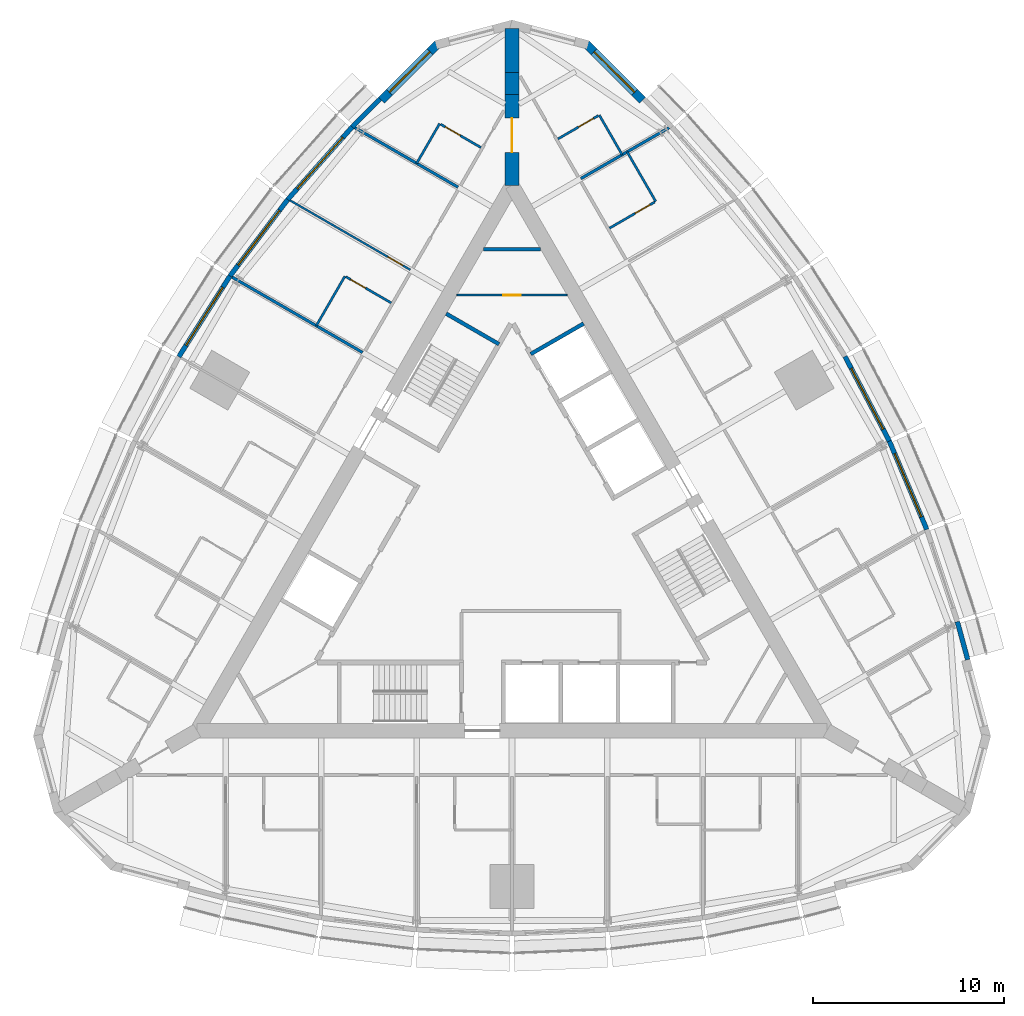
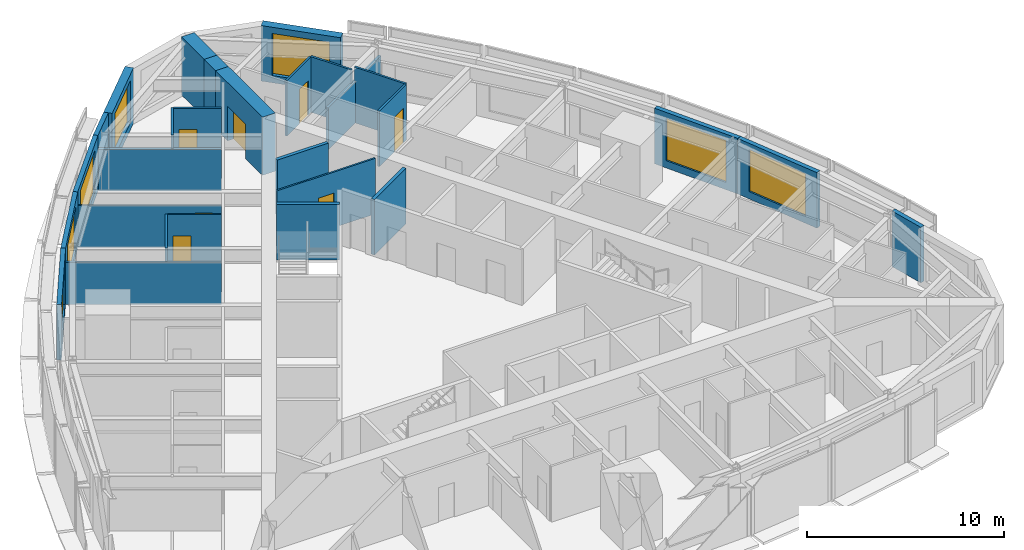
# One storey, part 13 of 15: 28 walls, 7 doors, 7 windows, 14 openings.
"""IFC4 building model written with IfcOpenShell, lengths in metres."""

from ifc_helpers import new_model, si_unit, direction, frame, frame_2d, origin, place, context, subcontext, project, spatial, rectangle, extrude, material, layer, layer_set, type_object, element, fill, save


model = new_model("IFC4")

# Units and contexts
model_context = context("Model", 3, precision=1e-05, world=origin(), true_north=direction((0.0, 1.0)))
body_context = subcontext(model_context, "Body", "Model", "MODEL_VIEW")
ifc_project = project(units=[si_unit("LENGTHUNIT", "METRE"), si_unit("AREAUNIT", "SQUARE_METRE"), si_unit("VOLUMEUNIT", "CUBIC_METRE"), si_unit("PLANEANGLEUNIT", "RADIAN"), si_unit("MASSUNIT", "GRAM", prefix="KILO")], contexts=[model_context])

# Site, building, storey
site_placement = place(None, origin())
site = spatial("IfcSite", under=ifc_project, at=site_placement, CompositionType="ELEMENT")
building_placement = place(site_placement, origin())
building = spatial("IfcBuilding", under=site, at=building_placement, Name="Trikona Tower", CompositionType="ELEMENT")
storey_placement = place(building_placement, frame((0.0, 0.0, 218.89990234375)))
storey = spatial("IfcBuildingStorey", under=building, at=storey_placement, Name="L58", CompositionType="ELEMENT", Elevation=218.89990234375)

# Wall
ifc_material_1 = material(Name="Metal stud and cement board", Category="gypsum")
ifc_layer_1 = layer(ifc_material_1, 0.1201171875)
ifc_layer_set_1 = layer_set([ifc_layer_1], Name="Bathroom wall 120")
wall_type_1 = type_object("IfcWallType", Name="Bathroom wall 120", PredefinedType="PLUMBINGWALL", material=ifc_layer_set_1)
wall_1_placement = place(storey_placement, frame((7.53271484375, 18.205322265625, 0.0), z_axis=(0.0, 0.0, 1.0), x_axis=(-0.499990139034, 0.866031096941, 0.0)))
element("IfcWall", 1, at=wall_1_placement, inside=storey, type_object=wall_type_1, Name="Bathroom wall 5809.1", PredefinedType="PLUMBINGWALL", context=body_context, shape_type="SweptSolid", body=[
    extrude(rectangle(XDim=3.0, YDim=0.1201171875, at=frame_2d((1.5, 0.0))), origin(), (0.0, 0.0, 1.0), 3.43505859375),
])

# Wall, opening, door
wall_2_placement = place(storey_placement, frame((5.10791015625, 16.805419921875, 0.0), z_axis=(0.0, 0.0, 1.0), x_axis=(0.866035715982, 0.499982138324, 0.0)))
wall_2 = element("IfcWall", 2, at=wall_2_placement, inside=storey, type_object=wall_type_1, Name="Bathroom wall 5809.1", PredefinedType="PLUMBINGWALL", context=body_context, shape_type="SweptSolid", body=[
    extrude(rectangle(XDim=2.73974609375, YDim=0.1201171875, at=frame_2d((1.369873046875, 0.0))), origin(), (0.0, 0.0, 1.0), 3.43505859375),
])
opening_1_placement = place(wall_2_placement, frame((1.550048828125, 0.0, 0.0)))
opening_1 = element("IfcOpeningElement", 3, at=opening_1_placement, cuts=wall_2, Name="Opening D2", PredefinedType="OPENING", context=body_context, shape_type="SweptSolid", body=[
    extrude(rectangle(XDim=0.89990234375, YDim=2.1298828125, at=frame_2d((0.449951171875, 1.06494140625))), frame((0.0, 0.070068359375, 0.0), z_axis=(0.0, -1.0, 0.0), x_axis=(1.0, 0.0, 0.0)), (0.0, 0.0, 1.0), 0.14013671875),
])
ifc_material_2 = material(Name="Steel door frame with solid-core timber leaf", Category="steel")
door_type_1 = type_object("IfcDoorType", Name="Bathroom door 900x2130", OperationType="SLIDING_TO_LEFT", PredefinedType="DOOR", material=ifc_material_2)
door_1_placement = place(opening_1_placement, origin())
door_1 = element("IfcDoor", 4, at=door_1_placement, inside=storey, type_object=door_type_1, Name="Bathroom door 5809.1", OperationType="SLIDING_TO_LEFT", OverallHeight=2.1298828125, OverallWidth=0.89990234375, PredefinedType="DOOR", context=body_context, shape_type="SweptSolid", body=[
    extrude(rectangle(XDim=0.89990234375, YDim=2.1298828125, at=frame_2d((0.449951171875, 1.06494140625))), frame((0.0, 0.02490234375, 0.0), z_axis=(0.0, -1.0, 0.0), x_axis=(1.0, 0.0, 0.0)), (0.0, 0.0, 1.0), 0.050048828125),
])
fill(opening_1, door_1)

# Wall
wall_3_placement = place(storey_placement, frame((5.77294921875, 20.653564453125, 0.0), z_axis=(0.0, 0.0, 1.0), x_axis=(-0.500001309137, 0.866024647952, 0.0)))
element("IfcWall", 5, at=wall_3_placement, inside=storey, type_object=wall_type_1, Name="Bathroom wall 5810", PredefinedType="PLUMBINGWALL", context=body_context, shape_type="SweptSolid", body=[
    extrude(rectangle(XDim=2.39990234375, YDim=0.1201171875, at=frame_2d((1.199951171875, 0.0))), origin(), (0.0, 0.0, 1.0), 3.43505859375),
])

# Wall, opening, door
wall_4_placement = place(storey_placement, frame((2.407958984375, 21.48193359375, 0.0), z_axis=(0.0, 0.0, 1.0), x_axis=(0.866023955769, 0.500002508028, 0.0)))
wall_4 = element("IfcWall", 6, at=wall_4_placement, inside=storey, type_object=wall_type_1, Name="Bathroom wall 5810", PredefinedType="PLUMBINGWALL", context=body_context, shape_type="SweptSolid", body=[
    extrude(rectangle(XDim=2.43994140625, YDim=0.1201171875, at=frame_2d((1.219970703125, 0.0))), origin(), (0.0, 0.0, 1.0), 3.43505859375),
])
opening_2_placement = place(wall_4_placement, frame((1.25, 0.0, 0.0)))
opening_2 = element("IfcOpeningElement", 7, at=opening_2_placement, cuts=wall_4, Name="Opening D2", PredefinedType="OPENING", context=body_context, shape_type="SweptSolid", body=[
    extrude(rectangle(XDim=0.89990234375, YDim=2.1298828125, at=frame_2d((0.449951171875, 1.06494140625))), frame((0.0, 0.070068359375, 0.0), z_axis=(0.0, -1.0, 0.0), x_axis=(1.0, 0.0, 0.0)), (0.0, 0.0, 1.0), 0.14013671875),
])
door_2_placement = place(opening_2_placement, origin())
door_2 = element("IfcDoor", 8, at=door_2_placement, inside=storey, type_object=door_type_1, Name="Bathroom door 5810", OperationType="SLIDING_TO_LEFT", OverallHeight=2.1298828125, OverallWidth=0.89990234375, PredefinedType="DOOR", context=body_context, shape_type="SweptSolid", body=[
    extrude(rectangle(XDim=0.89990234375, YDim=2.1298828125, at=frame_2d((0.449951171875, 1.06494140625))), frame((0.0, 0.02490234375, 0.0), z_axis=(0.0, -1.0, 0.0), x_axis=(1.0, 0.0, 0.0)), (0.0, 0.0, 1.0), 0.050048828125),
])
fill(opening_2, door_2)

# Wall
wall_5_placement = place(storey_placement, frame((-3.79345703125, 22.281982421875, 0.0), z_axis=(0.0, 0.0, 1.0), x_axis=(-0.500001309137, -0.866024647952, 0.0)))
element("IfcWall", 9, at=wall_5_placement, inside=storey, type_object=wall_type_1, Name="Bathroom wall 5811", PredefinedType="PLUMBINGWALL", context=body_context, shape_type="SweptSolid", body=[
    extrude(rectangle(XDim=2.39990234375, YDim=0.1201171875, at=frame_2d((1.199951171875, 0.0))), origin(), (0.0, 0.0, 1.0), 3.43505859375),
])

# Wall, opening, door
wall_6_placement = place(storey_placement, frame((-1.62841796875, 21.031982421875, 0.0), z_axis=(0.0, 0.0, 1.0), x_axis=(-0.866048967903, 0.499959183527, 0.0)))
wall_6 = element("IfcWall", 10, at=wall_6_placement, inside=storey, type_object=wall_type_1, Name="Bathroom wall 5811", PredefinedType="PLUMBINGWALL", context=body_context, shape_type="SweptSolid", body=[
    extrude(rectangle(XDim=2.440185546875, YDim=0.1201171875, at=frame_2d((1.22021484375, 0.0))), origin(), (0.0, 0.0, 1.0), 3.43505859375),
])
opening_3_placement = place(wall_6_placement, frame((1.25, 0.0, 0.0)))
opening_3 = element("IfcOpeningElement", 11, at=opening_3_placement, cuts=wall_6, Name="Opening D2", PredefinedType="OPENING", context=body_context, shape_type="SweptSolid", body=[
    extrude(rectangle(XDim=0.89990234375, YDim=2.1298828125, at=frame_2d((0.449951171875, 1.06494140625))), frame((0.0, 0.070068359375, 0.0), z_axis=(0.0, -1.0, 0.0), x_axis=(1.0, 0.0, 0.0)), (0.0, 0.0, 1.0), 0.14013671875),
])
door_3_placement = place(opening_3_placement, origin())
door_3 = element("IfcDoor", 12, at=door_3_placement, inside=storey, type_object=door_type_1, Name="Bathroom door 5811", OperationType="SLIDING_TO_LEFT", OverallHeight=2.1298828125, OverallWidth=0.89990234375, PredefinedType="DOOR", context=body_context, shape_type="SweptSolid", body=[
    extrude(rectangle(XDim=0.89990234375, YDim=2.1298828125, at=frame_2d((0.449951171875, 1.06494140625))), frame((0.0, 0.02490234375, 0.0), z_axis=(0.0, -1.0, 0.0), x_axis=(1.0, 0.0, 0.0)), (0.0, 0.0, 1.0), 0.050048828125),
])
fill(opening_3, door_3)

# Wall
wall_7_placement = place(storey_placement, frame((-8.75341796875, 14.291259765625, 0.0), z_axis=(0.0, 0.0, 1.0), x_axis=(-0.50002537861, -0.866010750942, 0.0)))
element("IfcWall", 13, at=wall_7_placement, inside=storey, type_object=wall_type_1, Name="Bathroom wall 5812.1", PredefinedType="PLUMBINGWALL", context=body_context, shape_type="SweptSolid", body=[
    extrude(rectangle(XDim=2.999755859375, YDim=0.1201171875, at=frame_2d((1.5, 0.0))), origin(), (0.0, 0.0, 1.0), 3.43505859375),
])

# Wall, opening, door
wall_8_placement = place(storey_placement, frame((-6.32861328125, 12.891357421875, 0.0), z_axis=(0.0, 0.0, 1.0), x_axis=(-0.866035715982, 0.499982138324, 0.0)))
wall_8 = element("IfcWall", 14, at=wall_8_placement, inside=storey, type_object=wall_type_1, Name="Bathroom wall 5812.1", PredefinedType="PLUMBINGWALL", context=body_context, shape_type="SweptSolid", body=[
    extrude(rectangle(XDim=2.73974609375, YDim=0.1201171875, at=frame_2d((1.369873046875, 0.0))), origin(), (0.0, 0.0, 1.0), 3.43505859375),
])
opening_4_placement = place(wall_8_placement, frame((1.550048828125, 0.0, 0.0)))
opening_4 = element("IfcOpeningElement", 15, at=opening_4_placement, cuts=wall_8, Name="Opening D2", PredefinedType="OPENING", context=body_context, shape_type="SweptSolid", body=[
    extrude(rectangle(XDim=0.89990234375, YDim=2.1298828125, at=frame_2d((0.449951171875, 1.06494140625))), frame((0.0, 0.070068359375, 0.0), z_axis=(0.0, -1.0, 0.0), x_axis=(1.0, 0.0, 0.0)), (0.0, 0.0, 1.0), 0.14013671875),
])
door_4_placement = place(opening_4_placement, origin())
door_4 = element("IfcDoor", 16, at=door_4_placement, inside=storey, type_object=door_type_1, Name="Bathroom door 5812.1", OperationType="SLIDING_TO_LEFT", OverallHeight=2.1298828125, OverallWidth=0.89990234375, PredefinedType="DOOR", context=body_context, shape_type="SweptSolid", body=[
    extrude(rectangle(XDim=0.89990234375, YDim=2.1298828125, at=frame_2d((0.449951171875, 1.06494140625))), frame((0.0, 0.02490234375, 0.0), z_axis=(0.0, -1.0, 0.0), x_axis=(1.0, 0.0, 0.0)), (0.0, 0.0, 1.0), 0.050048828125),
])
fill(opening_4, door_4)

# Wall, opening, window
ifc_material_3 = material(Name="Brick-faced precast concrete", Category="masonry")
ifc_layer_2 = layer(ifc_material_3, 0.449951171875)
ifc_layer_set_2 = layer_set([ifc_layer_2], Name="Brick-faced corner wall 450")
wall_type_2 = type_object("IfcWallType", Name="Brick-faced corner wall 450", PredefinedType="SOLIDWALL", material=ifc_layer_set_2)
wall_9_placement = place(storey_placement, frame((6.8408203125, 23.51220703125, 0.0), z_axis=(0.0, 0.0, 1.0), x_axis=(-0.707106781187, 0.707106781187, 0.0)))
wall_9 = element("IfcWall", 17, at=wall_9_placement, inside=storey, type_object=wall_type_2, Name="External wall L58-20", PredefinedType="SOLIDWALL", context=body_context, shape_type="SweptSolid", body=[
    extrude(rectangle(XDim=4.183837890625, YDim=0.449951171875, at=frame_2d((2.091796875, 0.0))), origin(), (0.0, 0.0, 1.0), 3.43505859375),
])
opening_5_placement = place(wall_9_placement, frame((0.592041015625, 0.0, 0.449951171875)))
opening_5 = element("IfcOpeningElement", 18, at=opening_5_placement, cuts=wall_9, Name="Opening W3026", PredefinedType="OPENING", context=body_context, shape_type="SweptSolid", body=[
    extrude(rectangle(XDim=3.0, YDim=2.60009765625, at=frame_2d((1.5, 1.300048828125))), frame((0.0, 0.23486328125, 0.0), z_axis=(0.0, -1.0, 0.0), x_axis=(1.0, 0.0, 0.0)), (0.0, 0.0, 1.0), 0.469970703125),
])
ifc_material_4 = material(Name="Aluminium-framed double glazing", Category="aluminium")
window_type_1 = type_object("IfcWindowType", Name="Window 3000x2600", PartitioningType="SINGLE_PANEL", PredefinedType="WINDOW", material=ifc_material_4)
window_1_placement = place(opening_5_placement, origin())
window_1 = element("IfcWindow", 19, at=window_1_placement, inside=storey, type_object=window_type_1, Name="Window 5810", OverallHeight=2.60009765625, OverallWidth=3.0, PartitioningType="SINGLE_PANEL", PredefinedType="WINDOW", context=body_context, shape_type="SweptSolid", body=[
    extrude(rectangle(XDim=3.0, YDim=2.60009765625, at=frame_2d((1.5, 1.300048828125))), frame((0.0, 0.030029296875, 0.0), z_axis=(0.0, -1.0, 0.0), x_axis=(1.0, 0.0, 0.0)), (0.0, 0.0, 1.0), 0.06005859375),
])
fill(opening_5, window_1)

wall_10_placement = place(storey_placement, frame((-3.88232421875, 26.470703125, 0.0), z_axis=(0.0, 0.0, 1.0), x_axis=(-0.707106781187, -0.707106781187, 0.0)))
wall_10 = element("IfcWall", 20, at=wall_10_placement, inside=storey, type_object=wall_type_2, Name="External wall L58-23", PredefinedType="SOLIDWALL", context=body_context, shape_type="SweptSolid", body=[
    extrude(rectangle(XDim=4.183837890625, YDim=0.449951171875, at=frame_2d((2.091796875, 0.0))), origin(), (0.0, 0.0, 1.0), 3.43505859375),
])
opening_6_placement = place(wall_10_placement, frame((0.592041015625, 0.0, 0.449951171875)))
opening_6 = element("IfcOpeningElement", 21, at=opening_6_placement, cuts=wall_10, Name="Opening W3026", PredefinedType="OPENING", context=body_context, shape_type="SweptSolid", body=[
    extrude(rectangle(XDim=3.0, YDim=2.60009765625, at=frame_2d((1.5, 1.300048828125))), frame((0.0, 0.23486328125, 0.0), z_axis=(0.0, -1.0, 0.0), x_axis=(1.0, 0.0, 0.0)), (0.0, 0.0, 1.0), 0.469970703125),
])
window_2_placement = place(opening_6_placement, origin())
window_2 = element("IfcWindow", 22, at=window_2_placement, inside=storey, type_object=window_type_1, Name="Window 5811", OverallHeight=2.60009765625, OverallWidth=3.0, PartitioningType="SINGLE_PANEL", PredefinedType="WINDOW", context=body_context, shape_type="SweptSolid", body=[
    extrude(rectangle(XDim=3.0, YDim=2.60009765625, at=frame_2d((1.5, 1.300048828125))), frame((0.0, 0.030029296875, 0.0), z_axis=(0.0, -1.0, 0.0), x_axis=(1.0, 0.0, 0.0)), (0.0, 0.0, 1.0), 0.06005859375),
])
fill(opening_6, window_2)

# Wall, opening, door
ifc_material_5 = material(Name="Concrete f'c 10000 psi", Category="concrete")
ifc_layer_3 = layer(ifc_material_5, 0.75)
ifc_layer_set_3 = layer_set([ifc_layer_3], Name="Buttress wall 750")
wall_type_3 = type_object("IfcWallType", Name="Buttress wall 750", PredefinedType="SHEAR", material=ifc_layer_set_3)
wall_11_placement = place(storey_placement, frame((0.0, 19.052490234375, 0.0), z_axis=(0.0, 0.0, 1.0), x_axis=(0.0, 1.0, 0.0)))
wall_11 = element("IfcWall", 23, at=wall_11_placement, inside=storey, type_object=wall_type_3, Name="Buttress wall 2", PredefinedType="SHEAR", context=body_context, shape_type="SweptSolid", body=[
    extrude(rectangle(XDim=4.74609375, YDim=0.75, at=frame_2d((2.373046875, 0.0))), origin(), (0.0, 0.0, 1.0), 3.60009765625),
])
opening_7_placement = place(wall_11_placement, frame((1.72509765625, 0.0, 0.0)))
opening_7 = element("IfcOpeningElement", 24, at=opening_7_placement, cuts=wall_11, Name="Opening D10", PredefinedType="OPENING", context=body_context, shape_type="SweptSolid", body=[
    extrude(rectangle(XDim=1.800048828125, YDim=2.1298828125, at=frame_2d((0.89990234375, 1.06494140625))), frame((0.0, 0.385009765625, 0.0), z_axis=(0.0, -1.0, 0.0), x_axis=(1.0, 0.0, 0.0)), (0.0, 0.0, 1.0), 0.77001953125),
])
ifc_material_6 = material(Name="Hollow metal door and frame", Category="steel")
door_type_2 = type_object("IfcDoorType", Name="Cross-corridor door pair 1800x2130", OperationType="DOUBLE_DOOR_DOUBLE_SWING", PredefinedType="DOOR", material=ifc_material_6)
door_5_placement = place(opening_7_placement, origin())
door_5 = element("IfcDoor", 25, at=door_5_placement, inside=storey, type_object=door_type_2, Name="Cross-corridor door 2", OperationType="DOUBLE_DOOR_DOUBLE_SWING", OverallHeight=2.1298828125, OverallWidth=1.800048828125, PredefinedType="DOOR", context=body_context, shape_type="SweptSolid", body=[
    extrude(rectangle(XDim=1.800048828125, YDim=2.1298828125, at=frame_2d((0.89990234375, 1.06494140625))), frame((0.0, 0.02490234375, 0.0), z_axis=(0.0, -1.0, 0.0), x_axis=(1.0, 0.0, 0.0)), (0.0, 0.0, 1.0), 0.050048828125),
])
fill(opening_7, door_5)

# Walls
wall_12_placement = place(storey_placement, frame((0.0, 23.798583984375, 0.0), z_axis=(0.0, 0.0, 1.0), x_axis=(0.0, 1.0, 0.0)))
element("IfcWall", 26, at=wall_12_placement, inside=storey, type_object=wall_type_3, Name="Buttress wall 2 part 2", PredefinedType="SHEAR", context=body_context, shape_type="SweptSolid", body=[
    extrude(rectangle(XDim=1.15478515625, YDim=0.75, at=frame_2d((0.577392578125, 0.0))), origin(), (0.0, 0.0, 1.0), 3.60009765625),
])
wall_13_placement = place(storey_placement, frame((0.0, 24.953369140625, 0.0), z_axis=(0.0, 0.0, 1.0), x_axis=(0.0, 1.0, 0.0)))
element("IfcWall", 27, at=wall_13_placement, inside=storey, type_object=wall_type_3, Name="Buttress wall 2 part 3", PredefinedType="SHEAR", context=body_context, shape_type="SweptSolid", body=[
    extrude(rectangle(XDim=2.309326171875, YDim=0.75, at=frame_2d((1.15478515625, 0.0))), origin(), (0.0, 0.0, 1.0), 3.60009765625),
])
ifc_material_7 = material(Name="Insulated precast concrete spandrel panel", Category="concrete")
ifc_layer_4 = layer(ifc_material_7, 0.25)
ifc_layer_set_4 = layer_set([ifc_layer_4], Name="Inner skin wall 250")
wall_type_4 = type_object("IfcWallType", Name="Inner skin wall 250", PredefinedType="STANDARD", material=ifc_layer_set_4)
wall_14_placement = place(storey_placement, frame((23.87939453125, -5.806396484375, 0.0), z_axis=(0.0, 0.0, 1.0), x_axis=(-0.262867703986, 0.964831887015, 0.0)))
element("IfcWall", 28, at=wall_14_placement, inside=storey, type_object=wall_type_4, Name="External wall L58-12", PredefinedType="STANDARD", context=body_context, shape_type="SweptSolid", body=[
    extrude(rectangle(XDim=2.068359375, YDim=0.25, at=frame_2d((1.0341796875, 0.0))), origin(), (0.0, 0.0, 1.0), 3.43505859375),
])

# Wall, opening, window
wall_15_placement = place(storey_placement, frame((21.73291015625, 1.01806640625, 0.0), z_axis=(0.0, 0.0, 1.0), x_axis=(-0.390096809471, 0.920773848044, 0.0)))
wall_15 = element("IfcWall", 29, at=wall_15_placement, inside=storey, type_object=wall_type_4, Name="External wall L58-14", PredefinedType="STANDARD", context=body_context, shape_type="SweptSolid", body=[
    extrude(rectangle(XDim=5.0380859375, YDim=0.25, at=frame_2d((2.51904296875, 0.0))), origin(), (0.0, 0.0, 1.0), 3.43505859375),
])
opening_8_placement = place(wall_15_placement, frame((0.718994140625, 0.0, 0.449951171875)))
opening_8 = element("IfcOpeningElement", 30, at=opening_8_placement, cuts=wall_15, Name="Opening W3626", PredefinedType="OPENING", context=body_context, shape_type="SweptSolid", body=[
    extrude(rectangle(XDim=3.60009765625, YDim=2.60009765625, at=frame_2d((1.800048828125, 1.300048828125))), frame((0.0, 0.135009765625, 0.0), z_axis=(0.0, -1.0, 0.0), x_axis=(1.0, 0.0, 0.0)), (0.0, 0.0, 1.0), 0.27001953125),
])
ifc_material_8 = material(Name="Aluminium-framed double glazing", Category="aluminium")
window_type_2 = type_object("IfcWindowType", Name="Window 3600x2600", PartitioningType="SINGLE_PANEL", PredefinedType="WINDOW", material=ifc_material_8)
window_3_placement = place(opening_8_placement, origin())
window_3 = element("IfcWindow", 31, at=window_3_placement, inside=storey, type_object=window_type_2, Name="Window 5807", OverallHeight=2.60009765625, OverallWidth=3.60009765625, PartitioningType="SINGLE_PANEL", PredefinedType="WINDOW", context=body_context, shape_type="SweptSolid", body=[
    extrude(rectangle(XDim=3.60009765625, YDim=2.60009765625, at=frame_2d((1.800048828125, 1.300048828125))), frame((0.0, 0.030029296875, 0.0), z_axis=(0.0, -1.0, 0.0), x_axis=(1.0, 0.0, 0.0)), (0.0, 0.0, 1.0), 0.06005859375),
])
fill(opening_8, window_3)

wall_16_placement = place(storey_placement, frame((19.772216796875, 5.64794921875, 0.0), z_axis=(0.0, 0.0, 1.0), x_axis=(-0.463976002579, 0.885847768542, 0.0)))
wall_16 = element("IfcWall", 32, at=wall_16_placement, inside=storey, type_object=wall_type_4, Name="External wall L58-15", PredefinedType="STANDARD", context=body_context, shape_type="SweptSolid", body=[
    extrude(rectangle(XDim=5.004150390625, YDim=0.25, at=frame_2d((2.501953125, 0.0))), origin(), (0.0, 0.0, 1.0), 3.43505859375),
])
opening_9_placement = place(wall_16_placement, frame((0.7021484375, 0.0, 0.449951171875)))
opening_9 = element("IfcOpeningElement", 33, at=opening_9_placement, cuts=wall_16, Name="Opening W3626", PredefinedType="OPENING", context=body_context, shape_type="SweptSolid", body=[
    extrude(rectangle(XDim=3.60009765625, YDim=2.60009765625, at=frame_2d((1.800048828125, 1.300048828125))), frame((0.0, 0.135009765625, 0.0), z_axis=(0.0, -1.0, 0.0), x_axis=(1.0, 0.0, 0.0)), (0.0, 0.0, 1.0), 0.27001953125),
])
window_4_placement = place(opening_9_placement, origin())
window_4 = element("IfcWindow", 34, at=window_4_placement, inside=storey, type_object=window_type_2, Name="Window 5808", OverallHeight=2.60009765625, OverallWidth=3.60009765625, PartitioningType="SINGLE_PANEL", PredefinedType="WINDOW", context=body_context, shape_type="SweptSolid", body=[
    extrude(rectangle(XDim=3.60009765625, YDim=2.60009765625, at=frame_2d((1.800048828125, 1.300048828125))), frame((0.0, 0.030029296875, 0.0), z_axis=(0.0, -1.0, 0.0), x_axis=(1.0, 0.0, 0.0)), (0.0, 0.0, 1.0), 0.06005859375),
])
fill(opening_9, window_4)

# Wall
wall_17_placement = place(storey_placement, frame((-6.9111328125, 23.58349609375, 0.0), z_axis=(0.0, 0.0, 1.0), x_axis=(-0.704149946111, -0.710051303352, 0.0)))
element("IfcWall", 35, at=wall_17_placement, inside=storey, type_object=wall_type_4, Name="External wall L58-24", PredefinedType="STANDARD", context=body_context, shape_type="SweptSolid", body=[
    extrude(rectangle(XDim=2.068603515625, YDim=0.25, at=frame_2d((1.0341796875, 0.0))), origin(), (0.0, 0.0, 1.0), 3.43505859375),
])

# Wall, opening, window
wall_18_placement = place(storey_placement, frame((-8.363037109375, 22.119873046875, 0.0), z_axis=(0.0, 0.0, 1.0), x_axis=(-0.664348996191, -0.747422511876, 0.0)))
wall_18 = element("IfcWall", 36, at=wall_18_placement, inside=storey, type_object=wall_type_4, Name="External wall L58-25", PredefinedType="STANDARD", context=body_context, shape_type="SweptSolid", body=[
    extrude(rectangle(XDim=5.104736328125, YDim=0.25, at=frame_2d((2.55224609375, 0.0))), origin(), (0.0, 0.0, 1.0), 3.43505859375),
])
opening_10_placement = place(wall_18_placement, frame((0.75244140625, 0.0, 0.449951171875)))
opening_10 = element("IfcOpeningElement", 37, at=opening_10_placement, cuts=wall_18, Name="Opening W3626", PredefinedType="OPENING", context=body_context, shape_type="SweptSolid", body=[
    extrude(rectangle(XDim=3.60009765625, YDim=2.60009765625, at=frame_2d((1.800048828125, 1.300048828125))), frame((0.0, 0.135009765625, 0.0), z_axis=(0.0, -1.0, 0.0), x_axis=(1.0, 0.0, 0.0)), (0.0, 0.0, 1.0), 0.27001953125),
])
window_5_placement = place(opening_10_placement, origin())
window_5 = element("IfcWindow", 38, at=window_5_placement, inside=storey, type_object=window_type_2, Name="Window 5812", OverallHeight=2.60009765625, OverallWidth=3.60009765625, PartitioningType="SINGLE_PANEL", PredefinedType="WINDOW", context=body_context, shape_type="SweptSolid", body=[
    extrude(rectangle(XDim=3.60009765625, YDim=2.60009765625, at=frame_2d((1.800048828125, 1.300048828125))), frame((0.0, 0.030029296875, 0.0), z_axis=(0.0, -1.0, 0.0), x_axis=(1.0, 0.0, 0.0)), (0.0, 0.0, 1.0), 0.06005859375),
])
fill(opening_10, window_5)

wall_19_placement = place(storey_placement, frame((-11.748046875, 18.31201171875, 0.0), z_axis=(0.0, 0.0, 1.0), x_axis=(-0.602408653511, -0.798187831388, 0.0)))
wall_19 = element("IfcWall", 39, at=wall_19_placement, inside=storey, type_object=wall_type_4, Name="External wall L58-26", PredefinedType="STANDARD", context=body_context, shape_type="SweptSolid", body=[
    extrude(rectangle(XDim=5.037841796875, YDim=0.25, at=frame_2d((2.51904296875, 0.0))), origin(), (0.0, 0.0, 1.0), 3.43505859375),
])
opening_11_placement = place(wall_19_placement, frame((0.718994140625, 0.0, 0.449951171875)))
opening_11 = element("IfcOpeningElement", 40, at=opening_11_placement, cuts=wall_19, Name="Opening W3626", PredefinedType="OPENING", context=body_context, shape_type="SweptSolid", body=[
    extrude(rectangle(XDim=3.60009765625, YDim=2.60009765625, at=frame_2d((1.800048828125, 1.300048828125))), frame((0.0, 0.135009765625, 0.0), z_axis=(0.0, -1.0, 0.0), x_axis=(1.0, 0.0, 0.0)), (0.0, 0.0, 1.0), 0.27001953125),
])
window_6_placement = place(opening_11_placement, origin())
window_6 = element("IfcWindow", 41, at=window_6_placement, inside=storey, type_object=window_type_2, Name="Window 5812.1", OverallHeight=2.60009765625, OverallWidth=3.60009765625, PartitioningType="SINGLE_PANEL", PredefinedType="WINDOW", context=body_context, shape_type="SweptSolid", body=[
    extrude(rectangle(XDim=3.60009765625, YDim=2.60009765625, at=frame_2d((1.800048828125, 1.300048828125))), frame((0.0, 0.030029296875, 0.0), z_axis=(0.0, -1.0, 0.0), x_axis=(1.0, 0.0, 0.0)), (0.0, 0.0, 1.0), 0.06005859375),
])
fill(opening_11, window_6)

wall_20_placement = place(storey_placement, frame((-14.777099609375, 14.29931640625, 0.0), z_axis=(0.0, 0.0, 1.0), x_axis=(-0.535220361449, -0.844712474568, 0.0)))
wall_20 = element("IfcWall", 42, at=wall_20_placement, inside=storey, type_object=wall_type_4, Name="External wall L58-27", PredefinedType="STANDARD", context=body_context, shape_type="SweptSolid", body=[
    extrude(rectangle(XDim=5.00439453125, YDim=0.25, at=frame_2d((2.502197265625, 0.0))), origin(), (0.0, 0.0, 1.0), 3.43505859375),
])
opening_12_placement = place(wall_20_placement, frame((0.7021484375, 0.0, 0.449951171875)))
opening_12 = element("IfcOpeningElement", 43, at=opening_12_placement, cuts=wall_20, Name="Opening W3626", PredefinedType="OPENING", context=body_context, shape_type="SweptSolid", body=[
    extrude(rectangle(XDim=3.60009765625, YDim=2.60009765625, at=frame_2d((1.800048828125, 1.300048828125))), frame((0.0, 0.135009765625, 0.0), z_axis=(0.0, -1.0, 0.0), x_axis=(1.0, 0.0, 0.0)), (0.0, 0.0, 1.0), 0.27001953125),
])
window_7_placement = place(opening_12_placement, origin())
window_7 = element("IfcWindow", 44, at=window_7_placement, inside=storey, type_object=window_type_2, Name="Window 5813", OverallHeight=2.60009765625, OverallWidth=3.60009765625, PartitioningType="SINGLE_PANEL", PredefinedType="WINDOW", context=body_context, shape_type="SweptSolid", body=[
    extrude(rectangle(XDim=3.60009765625, YDim=2.60009765625, at=frame_2d((1.800048828125, 1.300048828125))), frame((0.0, 0.030029296875, 0.0), z_axis=(0.0, -1.0, 0.0), x_axis=(1.0, 0.0, 0.0)), (0.0, 0.0, 1.0), 0.06005859375),
])
fill(opening_12, window_7)

# Walls
ifc_material_9 = material(Name="Metal stud and gypsum board, 1-hour acoustic", Category="gypsum")
ifc_layer_5 = layer(ifc_material_9, 0.14990234375)
ifc_layer_set_5 = layer_set([ifc_layer_5], Name="Party wall 150")
wall_type_5 = type_object("IfcWallType", Name="Party wall 150", PredefinedType="PARTITIONING", material=ifc_layer_set_5)
wall_21_placement = place(storey_placement, frame((3.60791015625, 19.403564453125, 0.0), z_axis=(0.0, 0.0, 1.0), x_axis=(0.866028745538, 0.499994211868, 0.0)))
element("IfcWall", 45, at=wall_21_placement, inside=storey, type_object=wall_type_5, Name="Partition L58 F2 u15", PredefinedType="PARTITIONING", context=body_context, shape_type="SweptSolid", body=[
    extrude(rectangle(XDim=5.33984375, YDim=0.14990234375, at=frame_2d((2.669921875, 0.0))), origin(), (0.0, 0.0, 1.0), 2.58935546875),
])
wall_22_placement = place(storey_placement, frame((-2.82861328125, 18.95361328125, 0.0), z_axis=(0.0, 0.0, 1.0), x_axis=(-0.866026604282, 0.499997920671, 0.0)))
element("IfcWall", 46, at=wall_22_placement, inside=storey, type_object=wall_type_5, Name="Partition L58 F3 u-15", PredefinedType="PARTITIONING", context=body_context, shape_type="SweptSolid", body=[
    extrude(rectangle(XDim=6.23974609375, YDim=0.14990234375, at=frame_2d((3.119873046875, 0.0))), origin(), (0.0, 0.0, 1.0), 2.58935546875),
])
wall_23_placement = place(storey_placement, frame((-7.82861328125, 10.293212890625, 0.0), z_axis=(0.0, 0.0, 1.0), x_axis=(-0.866030558329, 0.49999107196, 0.0)))
element("IfcWall", 47, at=wall_23_placement, inside=storey, type_object=wall_type_5, Name="Partition L58 F3 u-5", PredefinedType="PARTITIONING", context=body_context, shape_type="SweptSolid", body=[
    extrude(rectangle(XDim=7.893798828125, YDim=0.14990234375, at=frame_2d((3.94677734375, 0.0))), origin(), (0.0, 0.0, 1.0), 2.58935546875),
])
ifc_material_10 = material(Name="Concrete f'c 8000 psi", Category="concrete")
ifc_layer_6 = layer(ifc_material_10, 0.199951171875)
ifc_layer_set_6 = layer_set([ifc_layer_6], Name="Shaft wall 200")
wall_type_6 = type_object("IfcWallType", Name="Shaft wall 200", PredefinedType="SOLIDWALL", material=ifc_layer_set_6)
wall_24_placement = place(storey_placement, frame((0.97900390625, 10.20703125, 0.0), z_axis=(0.0, 0.0, 1.0), x_axis=(0.866042017984, 0.499971222258, 0.0)))
element("IfcWall", 48, at=wall_24_placement, inside=storey, type_object=wall_type_6, Name="Shaft wall B6", PredefinedType="SOLIDWALL", context=body_context, shape_type="SweptSolid", body=[
    extrude(rectangle(XDim=3.199951171875, YDim=0.199951171875, at=frame_2d((1.60009765625, 0.0))), origin(), (0.0, 0.0, 1.0), 3.43505859375),
])
wall_25_placement = place(storey_placement, frame((-1.501220703125, 15.70263671875, 0.0), z_axis=(0.0, 0.0, 1.0), x_axis=(1.0, 0.0, 0.0)))
element("IfcWall", 49, at=wall_25_placement, inside=storey, type_object=wall_type_6, Name="Riser wall L58-RS2", PredefinedType="SOLIDWALL", context=body_context, shape_type="SweptSolid", body=[
    extrude(rectangle(XDim=3.00244140625, YDim=0.199951171875, at=frame_2d((1.501220703125, 0.0))), origin(), (0.0, 0.0, 1.0), 3.43505859375),
])
ifc_material_11 = material(Name="Concrete f'c 8000 psi", Category="concrete")
ifc_layer_7 = layer(ifc_material_11, 0.199951171875)
ifc_layer_set_7 = layer_set([ifc_layer_7], Name="Shaft wall 200 load-bearing")
wall_type_7 = type_object("IfcWallType", Name="Shaft wall 200 load-bearing", PredefinedType="SOLIDWALL", material=ifc_layer_set_7)
wall_26_placement = place(storey_placement, frame((-0.678955078125, 10.7265625, 0.0), z_axis=(0.0, 0.0, 1.0), x_axis=(-0.866008981251, 0.500028443584, 0.0)))
element("IfcWall", 50, at=wall_26_placement, inside=storey, type_object=wall_type_7, Name="Shaft wall C1", PredefinedType="SOLIDWALL", context=body_context, shape_type="SweptSolid", body=[
    extrude(rectangle(XDim=3.199951171875, YDim=0.199951171875, at=frame_2d((1.60009765625, 0.0))), origin(), (0.0, 0.0, 1.0), 3.43505859375),
])

# Wall, opening, door
ifc_material_12 = material(Name="Metal stud and gypsum board, acoustic", Category="gypsum")
ifc_layer_8 = layer(ifc_material_12, 0.10009765625)
ifc_layer_set_8 = layer_set([ifc_layer_8], Name="Suite partition 100")
wall_type_8 = type_object("IfcWallType", Name="Suite partition 100", PredefinedType="PARTITIONING", material=ifc_layer_set_8)
wall_27_placement = place(storey_placement, frame((-5.32861328125, 14.623291015625, 0.0), z_axis=(0.0, 0.0, 1.0), x_axis=(-0.866017877653, 0.500013035415, 0.0)))
wall_27 = element("IfcWall", 51, at=wall_27_placement, inside=storey, type_object=wall_type_8, Name="Suite partition L58 F3 u-10", PredefinedType="PARTITIONING", context=body_context, shape_type="SweptSolid", body=[
    extrude(rectangle(XDim=7.272705078125, YDim=0.10009765625, at=frame_2d((3.63623046875, 0.0))), origin(), (0.0, 0.0, 1.0), 2.58935546875),
])
opening_13_placement = place(wall_27_placement, frame((0.449951171875, 0.0, 0.0)))
opening_13 = element("IfcOpeningElement", 52, at=opening_13_placement, cuts=wall_27, Name="Opening D13", PredefinedType="OPENING", context=body_context, shape_type="SweptSolid", body=[
    extrude(rectangle(XDim=0.89990234375, YDim=2.1298828125, at=frame_2d((0.449951171875, 1.06494140625))), frame((0.0, 0.06005859375, 0.0), z_axis=(0.0, -1.0, 0.0), x_axis=(1.0, 0.0, 0.0)), (0.0, 0.0, 1.0), 0.1201171875),
])
ifc_material_13 = material(Name="Steel door frame with solid-core timber leaf", Category="steel")
door_type_3 = type_object("IfcDoorType", Name="Suite door 900x2130", OperationType="SINGLE_SWING_LEFT", PredefinedType="DOOR", material=ifc_material_13)
door_6_placement = place(opening_13_placement, origin())
door_6 = element("IfcDoor", 53, at=door_6_placement, inside=storey, type_object=door_type_3, Name="Suite door 5812", OperationType="SINGLE_SWING_LEFT", OverallHeight=2.1298828125, OverallWidth=0.89990234375, PredefinedType="DOOR", context=body_context, shape_type="SweptSolid", body=[
    extrude(rectangle(XDim=0.89990234375, YDim=2.1298828125, at=frame_2d((0.449951171875, 1.06494140625))), frame((0.0, 0.02490234375, 0.0), z_axis=(0.0, -1.0, 0.0), x_axis=(1.0, 0.0, 0.0)), (0.0, 0.0, 1.0), 0.050048828125),
])
fill(opening_13, door_6)

wall_28_placement = place(storey_placement, frame((-2.88671875, 13.302490234375, 0.0), z_axis=(0.0, 0.0, 1.0), x_axis=(1.0, 0.0, 0.0)))
wall_28 = element("IfcWall", 54, at=wall_28_placement, inside=storey, type_object=wall_type_8, Name="Store partition L58-RS2", PredefinedType="PARTITIONING", context=body_context, shape_type="SweptSolid", body=[
    extrude(rectangle(XDim=5.7734375, YDim=0.10009765625, at=frame_2d((2.88671875, 0.0))), origin(), (0.0, 0.0, 1.0), 3.43505859375),
])
opening_14_placement = place(wall_28_placement, frame((2.436767578125, 0.0, 0.0)))
opening_14 = element("IfcOpeningElement", 55, at=opening_14_placement, cuts=wall_28, Name="Opening D15", PredefinedType="OPENING", context=body_context, shape_type="SweptSolid", body=[
    extrude(rectangle(XDim=0.89990234375, YDim=2.1298828125, at=frame_2d((0.449951171875, 1.06494140625))), frame((0.0, 0.06005859375, 0.0), z_axis=(0.0, -1.0, 0.0), x_axis=(1.0, 0.0, 0.0)), (0.0, 0.0, 1.0), 0.1201171875),
])
ifc_material_14 = material(Name="Steel door frame with solid-core timber leaf", Category="steel")
door_type_4 = type_object("IfcDoorType", Name="Store door 900x2130", OperationType="SINGLE_SWING_LEFT", PredefinedType="DOOR", material=ifc_material_14)
door_7_placement = place(opening_14_placement, origin())
door_7 = element("IfcDoor", 56, at=door_7_placement, inside=storey, type_object=door_type_4, Name="Door Storage STO", OperationType="SINGLE_SWING_RIGHT", OverallHeight=2.1298828125, OverallWidth=0.89990234375, PredefinedType="DOOR", context=body_context, shape_type="SweptSolid", body=[
    extrude(rectangle(XDim=0.89990234375, YDim=2.1298828125, at=frame_2d((0.449951171875, 1.06494140625))), frame((0.0, 0.02490234375, 0.0), z_axis=(0.0, -1.0, 0.0), x_axis=(1.0, 0.0, 0.0)), (0.0, 0.0, 1.0), 0.050048828125),
])
fill(opening_14, door_7)

save(model, "model.ifc")
